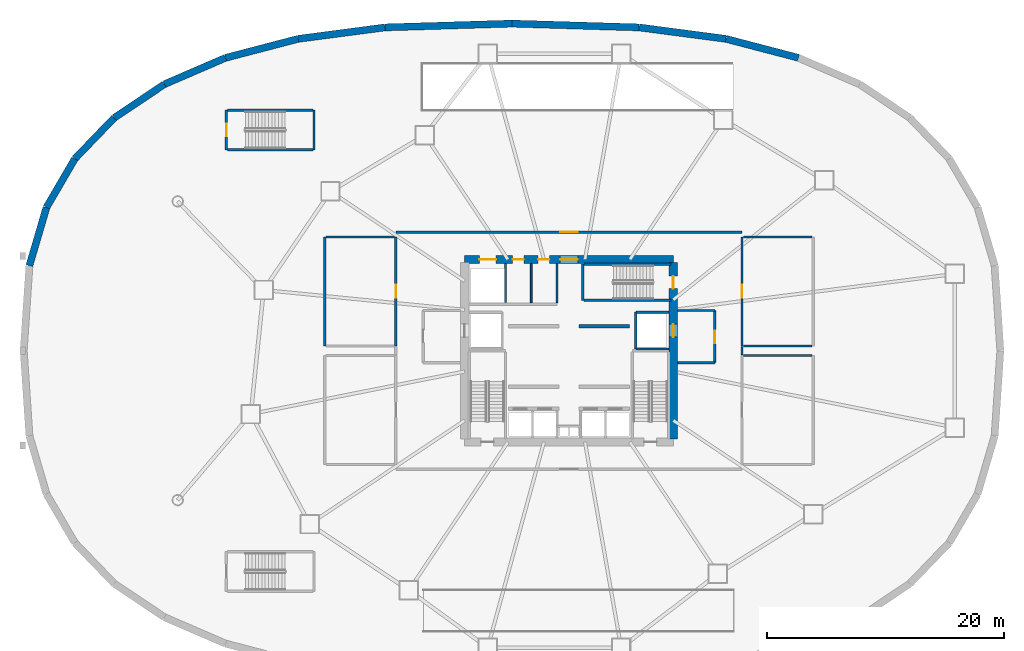
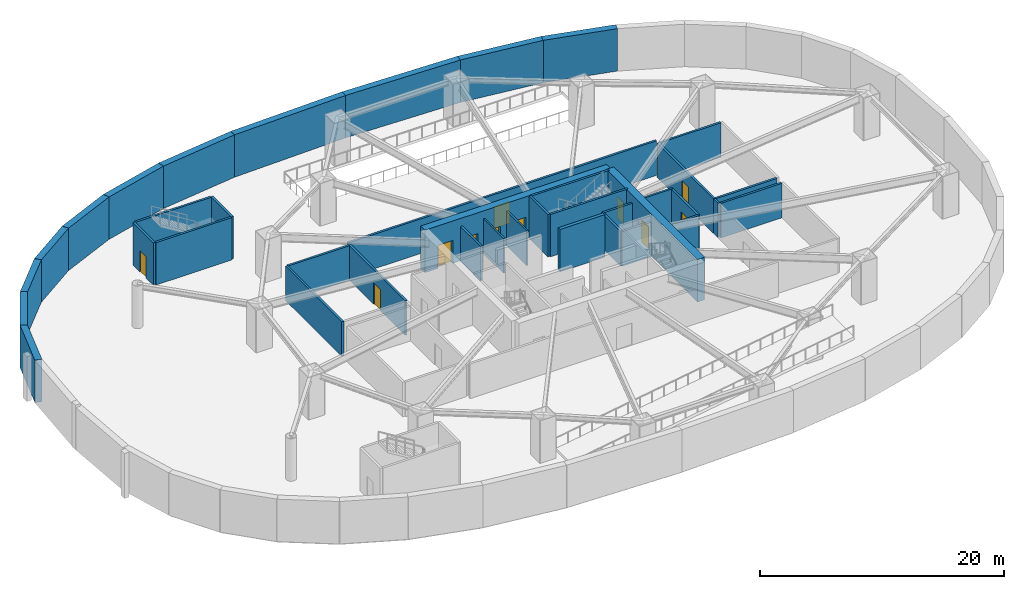
# One storey, part 4 of 10: 39 walls, 11 doors, 11 openings.
"""IFC4 building model written with IfcOpenShell, lengths in metres."""

import ifcopenshell
import ifcopenshell.guid

model = None  # the IFC model being written
_history = None  # IfcOwnerHistory: only IFC2X3 demands one
_inside = {}  # id of a spatial element -> (the spatial element, [elements in it])
_under = {}  # id of a project, library or spatial element -> (it, [spatial elements below it])
_declared = {}  # id of a project -> (the project, [libraries it declares])
_typed = {}  # id of a type object -> (the type object, [elements of that type])
_made_of = {}  # id of a material, layer set ... -> (it, [elements and type objects made of it])


def new_model(schema):
    """Start an empty IFC model of exactly this schema.

    Asked for "IFC4X3", IfcOpenShell would pick the latest addendum, in which some entities
    have other attributes; the version numbers below select the first issue.
    IFC2X3 requires an IfcOwnerHistory on every rooted entity: one is made here for all.
    """
    global model, _history
    if schema == "IFC4X3":
        model = ifcopenshell.file(schema_version=(4, 3, 0, 0))
    else:
        model = ifcopenshell.file(schema=schema)
    _inside.clear()
    _under.clear()
    _declared.clear()
    _typed.clear()
    _made_of.clear()
    _history = None
    if model.schema == "IFC2X3":
        org = make("IfcOrganization", Name="unknown")
        user = make(
            "IfcPersonAndOrganization",
            ThePerson=make("IfcPerson", FamilyName="unknown"),
            TheOrganization=org,
        )
        app = make(
            "IfcApplication",
            ApplicationDeveloper=org,
            Version="unknown",
            ApplicationFullName="unknown",
            ApplicationIdentifier="unknown",
        )
        _history = make(
            "IfcOwnerHistory",
            OwningUser=user,
            OwningApplication=app,
            ChangeAction="ADDED",
            CreationDate=0,
        )
    return model


def make(cls, **values):
    """One entity of the class cls with the attributes given. An attribute that is None is left unset."""
    return model.create_entity(
        cls, **{name: value for name, value in values.items() if value is not None}
    )


def rooted(cls, **values):
    """An entity with a GlobalId (a new one), such as an element, a storey or a relation."""
    return make(cls, GlobalId=ifcopenshell.guid.new(), OwnerHistory=_history, **values)


def si_unit(unit_type, name, prefix=None):
    """IfcSIUnit, for example si_unit("LENGTHUNIT", "METRE", prefix="MILLI")."""
    return make("IfcSIUnit", UnitType=unit_type, Prefix=prefix, Name=name)


def assignment(units):
    """IfcUnitAssignment: the units of a project."""
    return None if units is None else make("IfcUnitAssignment", Units=units)


def point(xyz):
    """IfcCartesianPoint."""
    return None if xyz is None else make("IfcCartesianPoint", Coordinates=xyz)


def direction(xyz):
    """IfcDirection."""
    return None if xyz is None else make("IfcDirection", DirectionRatios=xyz)


def frame(location, z_axis=None, x_axis=None):
    """IfcAxis2Placement3D, a coordinate frame: its origin and axes. An axis left out is left unset."""
    return make(
        "IfcAxis2Placement3D",
        Location=point(location),
        Axis=direction(z_axis),
        RefDirection=direction(x_axis),
    )


def frame_2d(location, x_axis=None):
    """IfcAxis2Placement2D, a coordinate frame in the plane: its origin and x axis."""
    return make(
        "IfcAxis2Placement2D", Location=point(location), RefDirection=direction(x_axis)
    )


def origin():
    """The frame at (0, 0, 0) with its axes left unset."""
    return frame((0.0, 0.0, 0.0))


def place(relative_to, where):
    """IfcLocalPlacement: puts the frame where relative to a parent placement (None: the world)."""
    return make(
        "IfcLocalPlacement", PlacementRelTo=relative_to, RelativePlacement=where
    )


def context(
    kind, dimensions, precision=None, world=None, true_north=None, identifier=None
):
    """IfcGeometricRepresentationContext, for example the 3D "Model" context."""
    return make(
        "IfcGeometricRepresentationContext",
        ContextIdentifier=identifier,
        ContextType=kind,
        CoordinateSpaceDimension=dimensions,
        Precision=precision,
        WorldCoordinateSystem=world,
        TrueNorth=true_north,
    )


def subcontext(parent, identifier, kind, view, scale=None):
    """IfcGeometricRepresentationSubContext, for example "Body" below "Model"."""
    return make(
        "IfcGeometricRepresentationSubContext",
        ContextIdentifier=identifier,
        ContextType=kind,
        ParentContext=parent,
        TargetScale=scale,
        TargetView=view,
    )


def project(units=None, contexts=None):
    """IfcProject with its units and contexts."""
    return rooted(
        "IfcProject",
        Name="project",
        RepresentationContexts=contexts,
        UnitsInContext=assignment(units),
    )


def spatial(cls, under=None, at=None, **own):
    """A site, building, storey or space (cls), placed at a placement, below another one or the project."""
    s = rooted(cls, ObjectPlacement=at, **own)
    if under is not None:
        _under.setdefault(under.id(), (under, []))[1].append(s)
    return s


def profile(cls, at=None, kind="AREA", **sizes):
    """A parametric profile (cls). Its sizes go by their IFC names, for example OverallWidth=200.0."""
    return make(cls, ProfileType=kind, Position=at, **sizes)


def rectangle(**sizes):
    """IfcRectangleProfileDef."""
    return profile("IfcRectangleProfileDef", **sizes)


def extrude(swept, where, along, depth):
    """IfcExtrudedAreaSolid: the profile swept, set in the frame where, extruded along a direction by depth."""
    return make(
        "IfcExtrudedAreaSolid",
        SweptArea=swept,
        Position=where,
        ExtrudedDirection=direction(along),
        Depth=depth,
    )


def shape(context_of_items, identifier, shape_type, items):
    """IfcShapeRepresentation: the items that make up one representation, for example the "Body"."""
    return make(
        "IfcShapeRepresentation",
        ContextOfItems=context_of_items,
        RepresentationIdentifier=identifier,
        RepresentationType=shape_type,
        Items=items,
    )


def source(mapping_origin, context_of_items, identifier, shape_type, items):
    """IfcRepresentationMap: a shape defined once, which mapped items show again and again."""
    return make(
        "IfcRepresentationMap",
        MappingOrigin=mapping_origin,
        MappedRepresentation=shape(context_of_items, identifier, shape_type, items),
    )


def transform(
    local_origin,
    x_axis=None,
    y_axis=None,
    z_axis=None,
    scale=None,
    scale2=None,
    scale3=None,
    uniform=True,
):
    """IfcCartesianTransformationOperator3D, or its non-uniform kind. x_axis, y_axis, z_axis: its Axis1, 2, 3."""
    if uniform:
        return make(
            "IfcCartesianTransformationOperator3D",
            Axis1=direction(x_axis),
            Axis2=direction(y_axis),
            LocalOrigin=point(local_origin),
            Scale=scale,
            Axis3=direction(z_axis),
        )
    return make(
        "IfcCartesianTransformationOperator3DnonUniform",
        Axis1=direction(x_axis),
        Axis2=direction(y_axis),
        LocalOrigin=point(local_origin),
        Scale=scale,
        Axis3=direction(z_axis),
        Scale2=scale2,
        Scale3=scale3,
    )


def mapped(mapping_source, mapping_target):
    """IfcMappedItem: shows the shape of a source again, moved by a transform."""
    return make(
        "IfcMappedItem", MappingSource=mapping_source, MappingTarget=mapping_target
    )


def material(Name=None, Category=None):
    """IfcMaterial."""
    return make("IfcMaterial", Name=Name, Category=Category)


def layer(
    of_material, thickness, ventilated=None, Name=None, Category=None, Priority=None
):
    """IfcMaterialLayer: one layer of a wall or slab, of a material (None: an air gap)."""
    return make(
        "IfcMaterialLayer",
        Material=of_material,
        LayerThickness=thickness,
        IsVentilated=ventilated,
        Name=Name,
        Category=Category,
        Priority=Priority,
    )


def layer_set(layers, Name=None):
    """IfcMaterialLayerSet."""
    return make("IfcMaterialLayerSet", MaterialLayers=layers, LayerSetName=Name)


def made_of(thing, what):
    """Note that an element or type object is made of a material, layer set ...; save() writes the relation."""
    if what is not None:
        _made_of.setdefault(what.id(), (what, []))[1].append(thing)
    return thing


def type_object(cls, material=None, **own):
    """A type object (cls), such as IfcWallType, which elements share."""
    return made_of(rooted(cls, **own), material)


def element(
    cls,
    number,
    at=None,
    inside=None,
    cuts=None,
    type_object=None,
    material=None,
    context=None,
    identifier="Body",
    shape_type=None,
    held_by="IfcProductDefinitionShape",
    body=None,
    shapes=None,
    **own,
):
    """One element of the class cls, such as IfcWall. Its Tag is "e" and its number.

    at: its placement. inside: the storey or other place that contains it. cuts: it is an
    opening in that element (IfcRelVoidsElement). A single representation is given by context,
    identifier, shape_type and body (its items); several are given by shapes. held_by: the class
    of the entity that holds the representations. save() writes the other relations.
    """
    e = rooted(cls, Tag="e%d" % number, ObjectPlacement=at, **own)
    if body is not None:
        shapes = [shape(context, identifier, shape_type, body)]
    if shapes is not None:
        e.Representation = make(held_by, Representations=shapes)
    if inside is not None:
        _inside.setdefault(inside.id(), (inside, []))[1].append(e)
    if cuts is not None:
        rooted(
            "IfcRelVoidsElement", RelatingBuildingElement=cuts, RelatedOpeningElement=e
        )
    if type_object is not None:
        _typed.setdefault(type_object.id(), (type_object, []))[1].append(e)
    return made_of(e, material)


def fill(opening, filler):
    """IfcRelFillsElement: the door or window that sits in an opening."""
    return rooted(
        "IfcRelFillsElement",
        RelatingOpeningElement=opening,
        RelatedBuildingElement=filler,
    )


def aggregate(whole, parts):
    """IfcRelAggregates: a whole, such as a stair, and the parts it consists of."""
    return rooted("IfcRelAggregates", RelatingObject=whole, RelatedObjects=parts)


def save(model, path):
    """Write the relations noted so far, then the file.

    IfcRelAggregates (storeys below a building ...), IfcRelContainedInSpatialStructure (elements
    in a storey), IfcRelDefinesByType, IfcRelAssociatesMaterial and IfcRelDeclares: one each for
    every whole, place, type object, material and project.
    """
    for whole, parts in _under.values():
        aggregate(whole, parts)
    for where, things in _inside.values():
        rooted(
            "IfcRelContainedInSpatialStructure",
            RelatedElements=things,
            RelatingStructure=where,
        )
    for kind, things in _typed.values():
        rooted("IfcRelDefinesByType", RelatedObjects=things, RelatingType=kind)
    for what, things in _made_of.values():
        rooted("IfcRelAssociatesMaterial", RelatedObjects=things, RelatingMaterial=what)
    for by, libraries in _declared.values():
        rooted("IfcRelDeclares", RelatingContext=by, RelatedDefinitions=libraries)
    model.write(path)


model = new_model("IFC4")

# Units and contexts
model_context = context("Model", 3, precision=1e-05, world=origin(), true_north=direction((0.0, 1.0)))
body_context = subcontext(model_context, "Body", "Model", "MODEL_VIEW")
ifc_project = project(units=[si_unit("LENGTHUNIT", "METRE"), si_unit("AREAUNIT", "SQUARE_METRE"), si_unit("VOLUMEUNIT", "CUBIC_METRE"), si_unit("PLANEANGLEUNIT", "RADIAN"), si_unit("MASSUNIT", "GRAM", prefix="KILO"), si_unit("THERMODYNAMICTEMPERATUREUNIT", "KELVIN")], contexts=[model_context])

# Site, building, storey
site_placement = place(None, origin())
site = spatial("IfcSite", under=ifc_project, at=site_placement, CompositionType="ELEMENT")
building_placement = place(site_placement, origin())
building = spatial("IfcBuilding", under=site, at=building_placement, Name="Kethvar Cultural Tower", CompositionType="ELEMENT")
storey_placement = place(building_placement, frame((0.0, 0.0, -4.5)))
storey = spatial("IfcBuildingStorey", under=building, at=storey_placement, Name="B01", CompositionType="ELEMENT", Elevation=-4.5)

# Walls
ifc_material_1 = material(Name="Concrete C45/55", Category="concrete")
ifc_layer_1 = layer(ifc_material_1, 0.60009765625, Name="Concrete C45/55", Category="concrete")
ifc_layer_set_1 = layer_set([ifc_layer_1], Name="Concrete C45/55 (600 mm)")
wall_type_1 = type_object("IfcWallType", Name="WL-BSMT-600", PredefinedType="SHEAR", material=ifc_layer_set_1)
wall_1_placement = place(storey_placement, frame((66.17333984375, 52.509033203125, 0.0), z_axis=(0.0, 0.0, 1.0), x_axis=(-0.967458151093, 0.253031076914, 0.0)))
element("IfcWall", 1, at=wall_1_placement, inside=storey, type_object=wall_type_1, Name="B01 Perimeter Retaining Wall 07", PredefinedType="SHEAR", context=body_context, shape_type="SweptSolid", body=[
    extrude(rectangle(XDim=6.32958984375, YDim=0.60009765625, at=frame_2d((3.164794921875, 0.0))), origin(), (0.0, 0.0, 1.0), 4.25),
])
wall_2_placement = place(storey_placement, frame((60.0498046875, 54.110595703125, 0.0), z_axis=(0.0, 0.0, 1.0), x_axis=(-0.991431364125, 0.130628673076, 0.0)))
element("IfcWall", 2, at=wall_2_placement, inside=storey, type_object=wall_type_1, Name="B01 Perimeter Retaining Wall 08", PredefinedType="SHEAR", context=body_context, shape_type="SweptSolid", body=[
    extrude(rectangle(XDim=7.3974609375, YDim=0.60009765625, at=frame_2d((3.69873046875, 0.0))), origin(), (0.0, 0.0, 1.0), 4.25),
])
for number, where, z_axis, x_axis, name in (
    (3, (52.7158203125, 55.076904296875, 0.0), (0.0, 0.0, 1.0), (-0.999546034195, 0.030128483624, 0.0), "B01 Perimeter Retaining Wall 09"),
    (4, (42.0, 55.39990234375, 0.0), (0.0, 0.0, 1.0), (-0.999546034195, -0.030128483624, 0.0), "B01 Perimeter Retaining Wall 10"),
):
    element("IfcWall", number, at=place(storey_placement, frame(where, z_axis=z_axis, x_axis=x_axis)), inside=storey, type_object=wall_type_1, Name=name, PredefinedType="SHEAR", context=body_context, shape_type="SweptSolid", body=[
        extrude(rectangle(XDim=10.720703125, YDim=0.60009765625, at=frame_2d((5.3603515625, 0.0))), origin(), (0.0, 0.0, 1.0), 4.25),
    ])
wall_3_placement = place(storey_placement, frame((31.2841796875, 55.076904296875, 0.0), z_axis=(0.0, 0.0, 1.0), x_axis=(-0.991431364125, -0.130628673076, 0.0)))
element("IfcWall", 5, at=wall_3_placement, inside=storey, type_object=wall_type_1, Name="B01 Perimeter Retaining Wall 11", PredefinedType="SHEAR", context=body_context, shape_type="SweptSolid", body=[
    extrude(rectangle(XDim=7.3974609375, YDim=0.60009765625, at=frame_2d((3.69873046875, 0.0))), origin(), (0.0, 0.0, 1.0), 4.25),
])
wall_4_placement = place(storey_placement, frame((23.9501953125, 54.110595703125, 0.0), z_axis=(0.0, 0.0, 1.0), x_axis=(-0.967458151093, -0.253031076914, 0.0)))
element("IfcWall", 6, at=wall_4_placement, inside=storey, type_object=wall_type_1, Name="B01 Perimeter Retaining Wall 12", PredefinedType="SHEAR", context=body_context, shape_type="SweptSolid", body=[
    extrude(rectangle(XDim=6.32958984375, YDim=0.60009765625, at=frame_2d((3.164794921875, 0.0))), origin(), (0.0, 0.0, 1.0), 4.25),
])
wall_5_placement = place(storey_placement, frame((17.82666015625, 52.509033203125, 0.0), z_axis=(0.0, 0.0, 1.0), x_axis=(-0.918068469745, -0.396421852147, 0.0)))
element("IfcWall", 7, at=wall_5_placement, inside=storey, type_object=wall_type_1, Name="B01 Perimeter Retaining Wall 13", PredefinedType="SHEAR", context=body_context, shape_type="SweptSolid", body=[
    extrude(rectangle(XDim=5.613037109375, YDim=0.60009765625, at=frame_2d((2.806640625, 0.0))), origin(), (0.0, 0.0, 1.0), 4.25),
])
wall_6_placement = place(storey_placement, frame((12.673583984375, 50.283935546875, 0.0), z_axis=(0.0, 0.0, 1.0), x_axis=(-0.830803406524, -0.556565988638, 0.0)))
element("IfcWall", 8, at=wall_6_placement, inside=storey, type_object=wall_type_1, Name="B01 Perimeter Retaining Wall 14", PredefinedType="SHEAR", context=body_context, shape_type="SweptSolid", body=[
    extrude(rectangle(XDim=5.099365234375, YDim=0.60009765625, at=frame_2d((2.5498046875, 0.0))), origin(), (0.0, 0.0, 1.0), 4.25),
])
wall_7_placement = place(storey_placement, frame((8.43701171875, 47.44580078125, 0.0), z_axis=(0.0, 0.0, 1.0), x_axis=(-0.693368389068, -0.720583289455, 0.0)))
element("IfcWall", 9, at=wall_7_placement, inside=storey, type_object=wall_type_1, Name="B01 Perimeter Retaining Wall 15", PredefinedType="SHEAR", context=body_context, shape_type="SweptSolid", body=[
    extrude(rectangle(XDim=4.79052734375, YDim=0.60009765625, at=frame_2d((2.395263671875, 0.0))), origin(), (0.0, 0.0, 1.0), 4.25),
])
wall_8_placement = place(storey_placement, frame((5.115478515625, 43.993896484375, 0.0), z_axis=(0.0, 0.0, 1.0), x_axis=(-0.503496923494, -0.863997018532, 0.0)))
element("IfcWall", 10, at=wall_8_placement, inside=storey, type_object=wall_type_1, Name="B01 Perimeter Retaining Wall 16", PredefinedType="SHEAR", context=body_context, shape_type="SweptSolid", body=[
    extrude(rectangle(XDim=4.748046875, YDim=0.60009765625, at=frame_2d((2.3740234375, 0.0))), origin(), (0.0, 0.0, 1.0), 4.25),
])
wall_9_placement = place(storey_placement, frame((2.724853515625, 39.8916015625, 0.0), z_axis=(0.0, 0.0, 1.0), x_axis=(-0.281735210535, -0.959492194416, 0.0)))
element("IfcWall", 11, at=wall_9_placement, inside=storey, type_object=wall_type_1, Name="B01 Perimeter Retaining Wall 17", PredefinedType="SHEAR", context=body_context, shape_type="SweptSolid", body=[
    extrude(rectangle(XDim=5.12060546875, YDim=0.60009765625, at=frame_2d((2.560302734375, 0.0))), origin(), (0.0, 0.0, 1.0), 4.25),
])

# Wall, openings, doors
ifc_material_2 = material(Name="Concrete C60/75", Category="concrete")
ifc_layer_2 = layer(ifc_material_2, 0.699951171875, Name="Concrete C60/75", Category="concrete")
ifc_layer_set_2 = layer_set([ifc_layer_2], Name="Concrete C60/75 (700 mm)")
wall_type_2 = type_object("IfcWallType", Name="WL-CORE-700", PredefinedType="SHEAR", material=ifc_layer_set_2)
wall_10_placement = place(storey_placement, frame((55.60009765625, 35.5, 0.0), z_axis=(0.0, 0.0, 1.0), x_axis=(-1.0, 0.0, 0.0)))
wall_10 = element("IfcWall", 12, at=wall_10_placement, inside=storey, type_object=wall_type_2, Name="B01 Core Shear Wall N", PredefinedType="SHEAR", context=body_context, shape_type="SweptSolid", body=[
    extrude(rectangle(XDim=17.60009765625, YDim=0.699951171875, at=frame_2d((8.800048828125, 0.0))), origin(), (0.0, 0.0, 1.0), 4.25),
])
opening_1_placement = place(wall_10_placement, frame((8.050048828125, 0.0, 0.0)))
opening_1 = element("IfcOpeningElement", 13, at=opening_1_placement, cuts=wall_10, Name="Opening D-B01-LN", PredefinedType="OPENING", context=body_context, shape_type="SweptSolid", body=[
    extrude(rectangle(XDim=1.5, YDim=2.199951171875, at=frame_2d((0.75, 1.10009765625))), frame((0.0, 0.35986328125, 0.0), z_axis=(0.0, -1.0, 0.0), x_axis=(1.0, 0.0, 0.0)), (0.0, 0.0, 1.0), 0.719970703125),
])
opening_2_placement = place(wall_10_placement, frame((14.949951171875, 0.0, 0.0)))
opening_2 = element("IfcOpeningElement", 14, at=opening_2_placement, cuts=wall_10, Name="Opening LD-G1", PredefinedType="OPENING", context=body_context, shape_type="SweptSolid", body=[
    extrude(rectangle(XDim=1.39990234375, YDim=2.300048828125, at=frame_2d((0.699951171875, 1.14990234375))), frame((0.0, 0.35986328125, 0.0), z_axis=(0.0, -1.0, 0.0), x_axis=(1.0, 0.0, 0.0)), (0.0, 0.0, 1.0), 0.719970703125),
])
opening_3_placement = place(wall_10_placement, frame((12.60009765625, 0.0, 0.0)))
opening_3 = element("IfcOpeningElement", 15, at=opening_3_placement, cuts=wall_10, Name="Opening D-B01-W1", PredefinedType="OPENING", context=body_context, shape_type="SweptSolid", body=[
    extrude(rectangle(XDim=0.949951171875, YDim=2.14990234375, at=frame_2d((0.47509765625, 1.074951171875))), frame((0.0, 0.35986328125, 0.0), z_axis=(0.0, -1.0, 0.0), x_axis=(1.0, 0.0, 0.0)), (0.0, 0.0, 1.0), 0.719970703125),
])
opening_4_placement = place(wall_10_placement, frame((10.449951171875, 0.0, 0.0)))
opening_4 = element("IfcOpeningElement", 16, at=opening_4_placement, cuts=wall_10, Name="Opening D-B01-W2", PredefinedType="OPENING", context=body_context, shape_type="SweptSolid", body=[
    extrude(rectangle(XDim=0.949951171875, YDim=2.14990234375, at=frame_2d((0.47509765625, 1.074951171875))), frame((0.0, 0.35986328125, 0.0), z_axis=(0.0, -1.0, 0.0), x_axis=(1.0, 0.0, 0.0)), (0.0, 0.0, 1.0), 0.719970703125),
])
ifc_material_3 = material(Name="Architectural Oak Timber", Category="wood")
door_type_1 = type_object("IfcDoorType", Name="DR-DBL-FD60-1500", OperationType="DOUBLE_DOOR_SINGLE_SWING", PredefinedType="DOOR", material=ifc_material_3)
shared_shape_1 = source(origin(), body_context, "Body", "SweptSolid", [
    extrude(rectangle(XDim=1.5, YDim=2.199951171875, at=frame_2d((0.75, 1.10009765625))), frame((0.0, 0.02490234375, 0.0), z_axis=(0.0, -1.0, 0.0), x_axis=(1.0, 0.0, 0.0)), (0.0, 0.0, 1.0), 0.050048828125),
])
door_1_placement = place(opening_1_placement, origin())
door_1 = element("IfcDoor", 17, at=door_1_placement, inside=storey, type_object=door_type_1, Name="B01 Lift Lobby Concourse Door", OperationType="DOUBLE_DOOR_SINGLE_SWING", OverallHeight=2.199951171875, OverallWidth=1.5, PredefinedType="DOOR", context=body_context, shape_type="MappedRepresentation", body=[
    mapped(shared_shape_1, transform((0.0, 0.0, 0.0), scale=1.0)),
])
fill(opening_1, door_1)
ifc_material_4 = material(Name="Steel S355J2", Category="steel")
door_type_2 = type_object("IfcDoorType", Name="DR-LIFT-SLIDE-1400", OperationType="NOTDEFINED", PredefinedType="DOOR", material=ifc_material_4)
shared_shape_2 = source(origin(), body_context, "Body", "SweptSolid", [
    extrude(rectangle(XDim=1.39990234375, YDim=2.300048828125, at=frame_2d((0.699951171875, 1.14990234375))), frame((0.0, 0.02490234375, 0.0), z_axis=(0.0, -1.0, 0.0), x_axis=(1.0, 0.0, 0.0)), (0.0, 0.0, 1.0), 0.050048828125),
])
door_2_placement = place(opening_2_placement, origin())
door_2 = element("IfcDoor", 18, at=door_2_placement, inside=storey, type_object=door_type_2, Name="B01 Goods Lift Landing Door", OperationType="SLIDING_TO_RIGHT", OverallHeight=2.300048828125, OverallWidth=1.39990234375, PredefinedType="DOOR", context=body_context, shape_type="MappedRepresentation", body=[
    mapped(shared_shape_2, transform((0.0, 0.0, 0.0), scale=1.0)),
])
fill(opening_2, door_2)
door_type_3 = type_object("IfcDoorType", Name="DR-FD30-950", OperationType="NOTDEFINED", PredefinedType="DOOR", material=ifc_material_3)
shared_shape_3 = source(origin(), body_context, "Body", "SweptSolid", [
    extrude(rectangle(XDim=0.949951171875, YDim=2.14990234375, at=frame_2d((0.47509765625, 1.074951171875))), frame((0.0, 0.02490234375, 0.0), z_axis=(0.0, -1.0, 0.0), x_axis=(1.0, 0.0, 0.0)), (0.0, 0.0, 1.0), 0.050048828125),
])
door_3_placement = place(opening_3_placement, origin())
door_3 = element("IfcDoor", 19, at=door_3_placement, inside=storey, type_object=door_type_3, Name="B01 Accessible Washroom Door", OperationType="SINGLE_SWING_LEFT", OverallHeight=2.14990234375, OverallWidth=0.949951171875, PredefinedType="DOOR", context=body_context, shape_type="MappedRepresentation", body=[
    mapped(shared_shape_3, transform((0.0, 0.0, 0.0), scale=1.0)),
])
fill(opening_3, door_3)
door_4_placement = place(opening_4_placement, origin())
door_4 = element("IfcDoor", 20, at=door_4_placement, inside=storey, type_object=door_type_3, Name="B01 Public Washroom Door", OperationType="SINGLE_SWING_RIGHT", OverallHeight=2.14990234375, OverallWidth=0.949951171875, PredefinedType="DOOR", context=body_context, shape_type="MappedRepresentation", body=[
    mapped(shared_shape_3, transform((0.0, 0.0, 0.0), scale=1.0)),
])
fill(opening_4, door_4)

wall_11_placement = place(storey_placement, frame((55.60009765625, 20.340087890625, 0.0), z_axis=(0.0, 0.0, 1.0), x_axis=(0.0, 1.0, 0.0)))
wall_11 = element("IfcWall", 21, at=wall_11_placement, inside=storey, type_object=wall_type_2, Name="B01 Core Shear Wall E", PredefinedType="SHEAR", context=body_context, shape_type="SweptSolid", body=[
    extrude(rectangle(XDim=14.919921875, YDim=0.699951171875, at=frame_2d((7.4599609375, 0.0))), origin(), (0.0, 0.0, 1.0), 4.25),
])
opening_5_placement = place(wall_11_placement, frame((12.7099609375, 0.0, 0.0)))
opening_5 = element("IfcOpeningElement", 22, at=opening_5_placement, cuts=wall_11, Name="Opening D-B01-S3", PredefinedType="OPENING", context=body_context, shape_type="SweptSolid", body=[
    extrude(rectangle(XDim=1.050048828125, YDim=2.14990234375, at=frame_2d((0.52490234375, 1.074951171875))), frame((0.0, 0.35986328125, 0.0), z_axis=(0.0, -1.0, 0.0), x_axis=(1.0, 0.0, 0.0)), (0.0, 0.0, 1.0), 0.719970703125),
])
opening_6_placement = place(wall_11_placement, frame((8.610107421875, 0.0, 0.0)))
opening_6 = element("IfcOpeningElement", 23, at=opening_6_placement, cuts=wall_11, Name="Opening LD-2", PredefinedType="OPENING", context=body_context, shape_type="SweptSolid", body=[
    extrude(rectangle(XDim=1.10009765625, YDim=2.199951171875, at=frame_2d((0.550048828125, 1.10009765625))), frame((0.0, 0.35986328125, 0.0), z_axis=(0.0, -1.0, 0.0), x_axis=(1.0, 0.0, 0.0)), (0.0, 0.0, 1.0), 0.719970703125),
])
door_type_4 = type_object("IfcDoorType", Name="DR-FD60-1050", OperationType="NOTDEFINED", PredefinedType="DOOR", material=ifc_material_4)
shared_shape_4 = source(origin(), body_context, "Body", "SweptSolid", [
    extrude(rectangle(XDim=1.050048828125, YDim=2.14990234375, at=frame_2d((0.52490234375, 1.074951171875))), frame((0.0, 0.02490234375, 0.0), z_axis=(0.0, -1.0, 0.0), x_axis=(1.0, 0.0, 0.0)), (0.0, 0.0, 1.0), 0.050048828125),
])
door_5_placement = place(opening_5_placement, origin())
door_5 = element("IfcDoor", 24, at=door_5_placement, inside=storey, type_object=door_type_4, Name="B01 Exit Stair 3 Door", OperationType="SINGLE_SWING_LEFT", OverallHeight=2.14990234375, OverallWidth=1.050048828125, PredefinedType="DOOR", context=body_context, shape_type="MappedRepresentation", body=[
    mapped(shared_shape_4, transform((0.0, 0.0, 0.0), scale=1.0)),
])
fill(opening_5, door_5)
door_type_5 = type_object("IfcDoorType", Name="DR-LIFT-SLIDE-1100", OperationType="NOTDEFINED", PredefinedType="DOOR", material=ifc_material_4)
shared_shape_5 = source(origin(), body_context, "Body", "SweptSolid", [
    extrude(rectangle(XDim=1.10009765625, YDim=2.199951171875, at=frame_2d((0.550048828125, 1.10009765625))), frame((0.0, 0.02490234375, 0.0), z_axis=(0.0, -1.0, 0.0), x_axis=(1.0, 0.0, 0.0)), (0.0, 0.0, 1.0), 0.050048828125),
])
door_6_placement = place(opening_6_placement, origin())
door_6 = element("IfcDoor", 25, at=door_6_placement, inside=storey, type_object=door_type_5, Name="B01 Firefighting Lift Landing Door FFL-02", OperationType="SLIDING_TO_RIGHT", OverallHeight=2.199951171875, OverallWidth=1.10009765625, PredefinedType="DOOR", context=body_context, shape_type="MappedRepresentation", body=[
    mapped(shared_shape_5, transform((0.0, 0.0, 0.0), scale=1.0)),
])
fill(opening_6, door_6)

# Walls
ifc_material_5 = material(Name="Gypsum Fireboard Partition")
ifc_layer_3 = layer(ifc_material_5, 0.14990234375, Name="Gypsum Fireboard Partition")
ifc_layer_set_3 = layer_set([ifc_layer_3], Name="Gypsum Fireboard Partition (150 mm)")
wall_type_3 = type_object("IfcWallType", Name="WL-FIRE-150", PredefinedType="PARTITIONING", material=ifc_layer_set_3)
wall_12_placement = place(storey_placement, frame((45.800048828125, 31.85009765625, 0.0), z_axis=(0.0, 0.0, 1.0), x_axis=(0.0, 1.0, 0.0)))
element("IfcWall", 26, at=wall_12_placement, inside=storey, type_object=wall_type_3, Name="B01 Sanitary Spine Wall", PredefinedType="PARTITIONING", context=body_context, shape_type="SweptSolid", body=[
    extrude(rectangle(XDim=3.289794921875, YDim=0.14990234375, at=frame_2d((1.64501953125, 0.0))), origin(), (0.0, 0.0, 1.0), 3.462890625),
])
ifc_material_6 = material(Name="Concrete C40/50", Category="concrete")
ifc_layer_4 = layer(ifc_material_6, 0.199951171875, Name="Concrete C40/50", Category="concrete")
ifc_layer_set_4 = layer_set([ifc_layer_4], Name="Concrete C40/50 (200 mm)")
wall_type_4 = type_object("IfcWallType", Name="WL-FIRE-200", PredefinedType="PARTITIONING", material=ifc_layer_set_4)
wall_13_placement = place(storey_placement, frame((52.449951171875, 27.949951171875, 0.0), z_axis=(0.0, 0.0, 1.0), x_axis=(0.0, 1.0, 0.0)))
element("IfcWall", 27, at=wall_13_placement, inside=storey, type_object=wall_type_4, Name="B01 FFL-02 Shaft Inner Wall", PredefinedType="PARTITIONING", context=body_context, shape_type="SweptSolid", body=[
    extrude(rectangle(XDim=3.10009765625, YDim=0.199951171875, at=frame_2d((1.550048828125, 0.0))), origin(), (0.0, 0.0, 1.0), 3.462890625),
])
for number, where, z_axis, x_axis, name in (
    (28, (52.449951171875, 27.949951171875, 0.0), (0.0, 0.0, 1.0), (1.0, 0.0, 0.0), "B01 FFL-02 Shaft South Wall"),
    (29, (52.449951171875, 31.050048828125, 0.0), (0.0, 0.0, 1.0), (1.0, 0.0, 0.0), "B01 FFL-02 Shaft North Wall"),
):
    element("IfcWall", number, at=place(storey_placement, frame(where, z_axis=z_axis, x_axis=x_axis)), inside=storey, type_object=wall_type_4, Name=name, PredefinedType="PARTITIONING", context=body_context, shape_type="SweptSolid", body=[
        extrude(rectangle(XDim=2.7900390625, YDim=0.199951171875, at=frame_2d((1.39501953125, 0.0))), origin(), (0.0, 0.0, 1.0), 3.462890625),
    ])

# Wall, opening, door
wall_14_placement = place(storey_placement, frame((59.10009765625, 26.800048828125, 0.0), z_axis=(0.0, 0.0, 1.0), x_axis=(0.0, 1.0, 0.0)))
wall_14 = element("IfcWall", 30, at=wall_14_placement, inside=storey, type_object=wall_type_4, Name="B01 Firefighting Lobby 2 Wall", PredefinedType="PARTITIONING", context=body_context, shape_type="SweptSolid", body=[
    extrude(rectangle(XDim=4.39990234375, YDim=0.199951171875, at=frame_2d((2.199951171875, 0.0))), origin(), (0.0, 0.0, 1.0), 3.462890625),
])
opening_7_placement = place(wall_14_placement, frame((1.64990234375, 0.0, 0.0)))
opening_7 = element("IfcOpeningElement", 31, at=opening_7_placement, cuts=wall_14, Name="Opening D-B01-F2", PredefinedType="OPENING", context=body_context, shape_type="SweptSolid", body=[
    extrude(rectangle(XDim=1.050048828125, YDim=2.14990234375, at=frame_2d((0.52490234375, 1.074951171875))), frame((0.0, 0.10986328125, 0.0), z_axis=(0.0, -1.0, 0.0), x_axis=(1.0, 0.0, 0.0)), (0.0, 0.0, 1.0), 0.219970703125),
])
door_7_placement = place(opening_7_placement, origin())
door_7 = element("IfcDoor", 32, at=door_7_placement, inside=storey, type_object=door_type_4, Name="B01 Firefighting Lobby 2 Fire Door", OperationType="SINGLE_SWING_LEFT", OverallHeight=2.14990234375, OverallWidth=1.050048828125, PredefinedType="DOOR", context=body_context, shape_type="MappedRepresentation", body=[
    mapped(shared_shape_4, transform((0.0, 0.0, 0.0), scale=1.0)),
])
fill(opening_7, door_7)

# Walls
for number, where, z_axis, x_axis, name in (
    (33, (55.9599609375, 26.800048828125, 0.0), (0.0, 0.0, 1.0), (1.0, 0.0, 0.0), "B01 FF Lobby 2 South Wall"),
    (34, (55.9599609375, 31.199951171875, 0.0), (0.0, 0.0, 1.0), (1.0, 0.0, 0.0), "B01 FF Lobby 2 North Wall"),
):
    element("IfcWall", number, at=place(storey_placement, frame(where, z_axis=z_axis, x_axis=x_axis)), inside=storey, type_object=wall_type_4, Name=name, PredefinedType="PARTITIONING", context=body_context, shape_type="SweptSolid", body=[
        extrude(rectangle(XDim=3.14013671875, YDim=0.199951171875, at=frame_2d((1.570068359375, 0.0))), origin(), (0.0, 0.0, 1.0), 3.462890625),
    ])
wall_15_placement = place(storey_placement, frame((41.449951171875, 31.85009765625, 0.0), z_axis=(0.0, 0.0, 1.0), x_axis=(0.0, 1.0, 0.0)))
element("IfcWall", 35, at=wall_15_placement, inside=storey, type_object=wall_type_4, Name="B01 NW Core Pocket Wall", PredefinedType="PARTITIONING", context=body_context, shape_type="SweptSolid", body=[
    extrude(rectangle(XDim=3.289794921875, YDim=0.199951171875, at=frame_2d((1.64501953125, 0.0))), origin(), (0.0, 0.0, 1.0), 3.462890625),
])

# Wall, opening, door
wall_16_placement = place(storey_placement, frame((32.199951171875, 28.199951171875, 0.0), z_axis=(0.0, 0.0, 1.0), x_axis=(0.0, 1.0, 0.0)))
wall_16 = element("IfcWall", 36, at=wall_16_placement, inside=storey, type_object=wall_type_4, Name="B01 Conservation Quarantine Room Front Wall", PredefinedType="PARTITIONING", context=body_context, shape_type="SweptSolid", body=[
    extrude(rectangle(XDim=9.199951171875, YDim=0.199951171875, at=frame_2d((4.60009765625, 0.0))), origin(), (0.0, 0.0, 1.0), 3.462890625),
])
opening_8_placement = place(wall_16_placement, frame((4.050048828125, 0.0, 0.0)))
opening_8 = element("IfcOpeningElement", 37, at=opening_8_placement, cuts=wall_16, Name="Opening D-B01-B2", PredefinedType="OPENING", context=body_context, shape_type="SweptSolid", body=[
    extrude(rectangle(XDim=1.10009765625, YDim=2.14990234375, at=frame_2d((0.550048828125, 1.074951171875))), frame((0.0, 0.10986328125, 0.0), z_axis=(0.0, -1.0, 0.0), x_axis=(1.0, 0.0, 0.0)), (0.0, 0.0, 1.0), 0.219970703125),
])
door_type_6 = type_object("IfcDoorType", Name="DR-FD60-1100", OperationType="NOTDEFINED", PredefinedType="DOOR", material=ifc_material_4)
shared_shape_6 = source(origin(), body_context, "Body", "SweptSolid", [
    extrude(rectangle(XDim=1.10009765625, YDim=2.14990234375, at=frame_2d((0.550048828125, 1.074951171875))), frame((0.0, 0.02490234375, 0.0), z_axis=(0.0, -1.0, 0.0), x_axis=(1.0, 0.0, 0.0)), (0.0, 0.0, 1.0), 0.050048828125),
])
door_8_placement = place(opening_8_placement, origin())
door_8 = element("IfcDoor", 38, at=door_8_placement, inside=storey, type_object=door_type_6, Name="B01 Conservation Quarantine Room Door", OperationType="SINGLE_SWING_RIGHT", OverallHeight=2.14990234375, OverallWidth=1.10009765625, PredefinedType="DOOR", context=body_context, shape_type="MappedRepresentation", body=[
    mapped(shared_shape_6, transform((0.0, 0.0, 0.0), scale=1.0)),
])
fill(opening_8, door_8)

# Walls
wall_17_placement = place(storey_placement, frame((26.199951171875, 28.199951171875, 0.0), z_axis=(0.0, 0.0, 1.0), x_axis=(0.0, 1.0, 0.0)))
element("IfcWall", 39, at=wall_17_placement, inside=storey, type_object=wall_type_4, Name="B01 Conservation Quarantine Room Back Wall", PredefinedType="PARTITIONING", context=body_context, shape_type="SweptSolid", body=[
    extrude(rectangle(XDim=9.199951171875, YDim=0.199951171875, at=frame_2d((4.60009765625, 0.0))), origin(), (0.0, 0.0, 1.0), 3.462890625),
])
for number, where, z_axis, x_axis, name in (
    (40, (26.31005859375, 37.39990234375, 0.0), (0.0, 0.0, 1.0), (1.0, 0.0, 0.0), "B01 Conservation Quarantine Room North Wall"),
    (41, (61.510009765625, 27.39990234375, 0.0), (0.0, 0.0, 1.0), (1.0, 0.0, 0.0), "B01 Domestic Water Plant Room North Wall"),
):
    element("IfcWall", number, at=place(storey_placement, frame(where, z_axis=z_axis, x_axis=x_axis)), inside=storey, type_object=wall_type_4, Name=name, PredefinedType="PARTITIONING", context=body_context, shape_type="SweptSolid", body=[
        extrude(rectangle(XDim=5.780029296875, YDim=0.199951171875, at=frame_2d((2.89013671875, 0.0))), origin(), (0.0, 0.0, 1.0), 3.462890625),
    ])

# Wall, opening, door
wall_18_placement = place(storey_placement, frame((61.39990234375, 28.199951171875, 0.0), z_axis=(0.0, 0.0, 1.0), x_axis=(0.0, 1.0, 0.0)))
wall_18 = element("IfcWall", 42, at=wall_18_placement, inside=storey, type_object=wall_type_4, Name="B01 Main LV Switchboard Room Front Wall", PredefinedType="PARTITIONING", context=body_context, shape_type="SweptSolid", body=[
    extrude(rectangle(XDim=9.199951171875, YDim=0.199951171875, at=frame_2d((4.60009765625, 0.0))), origin(), (0.0, 0.0, 1.0), 3.462890625),
])
opening_9_placement = place(wall_18_placement, frame((4.050048828125, 0.0, 0.0)))
opening_9 = element("IfcOpeningElement", 43, at=opening_9_placement, cuts=wall_18, Name="Opening D-B01-B4", PredefinedType="OPENING", context=body_context, shape_type="SweptSolid", body=[
    extrude(rectangle(XDim=1.10009765625, YDim=2.14990234375, at=frame_2d((0.550048828125, 1.074951171875))), frame((0.0, 0.10986328125, 0.0), z_axis=(0.0, -1.0, 0.0), x_axis=(1.0, 0.0, 0.0)), (0.0, 0.0, 1.0), 0.219970703125),
])
door_9_placement = place(opening_9_placement, origin())
door_9 = element("IfcDoor", 44, at=door_9_placement, inside=storey, type_object=door_type_6, Name="B01 Main LV Switchboard Room Door", OperationType="SINGLE_SWING_RIGHT", OverallHeight=2.14990234375, OverallWidth=1.10009765625, PredefinedType="DOOR", context=body_context, shape_type="MappedRepresentation", body=[
    mapped(shared_shape_6, transform((0.0, 0.0, 0.0), scale=1.0)),
])
fill(opening_9, door_9)

# Walls
for number, where, z_axis, x_axis, name in (
    (45, (61.510009765625, 28.199951171875, 0.0), (0.0, 0.0, 1.0), (1.0, 0.0, 0.0), "B01 Main LV Switchboard Room South Wall"),
    (46, (61.510009765625, 37.39990234375, 0.0), (0.0, 0.0, 1.0), (1.0, 0.0, 0.0), "B01 Main LV Switchboard Room North Wall"),
):
    element("IfcWall", number, at=place(storey_placement, frame(where, z_axis=z_axis, x_axis=x_axis)), inside=storey, type_object=wall_type_4, Name=name, PredefinedType="PARTITIONING", context=body_context, shape_type="SweptSolid", body=[
        extrude(rectangle(XDim=5.780029296875, YDim=0.199951171875, at=frame_2d((2.89013671875, 0.0))), origin(), (0.0, 0.0, 1.0), 3.462890625),
    ])
wall_19_placement = place(storey_placement, frame((61.39990234375, 27.449951171875, 0.0), z_axis=(0.0, 0.0, 1.0), x_axis=(0.0, 1.0, 0.0)))
element("IfcWall", 47, at=wall_19_placement, inside=storey, type_object=wall_type_4, Name="B01 Plant Corridor Gap Wall E", PredefinedType="PARTITIONING", context=body_context, shape_type="SweptSolid", body=[
    extrude(rectangle(XDim=0.699951171875, YDim=0.199951171875, at=frame_2d((0.35009765625, 0.0))), origin(), (0.0, 0.0, 1.0), 3.462890625),
])

# Wall, opening, door
wall_20_placement = place(storey_placement, frame((32.199951171875, 37.800048828125, 0.0), z_axis=(0.0, 0.0, 1.0), x_axis=(1.0, 0.0, 0.0)))
wall_20 = element("IfcWall", 48, at=wall_20_placement, inside=storey, type_object=wall_type_4, Name="B01 Basement Vestibule Wall N", PredefinedType="PARTITIONING", context=body_context, shape_type="SweptSolid", body=[
    extrude(rectangle(XDim=29.199951171875, YDim=0.199951171875, at=frame_2d((14.60009765625, 0.0))), origin(), (0.0, 0.0, 1.0), 3.462890625),
])
opening_10_placement = place(wall_20_placement, frame((13.85009765625, 0.0, 0.0)))
opening_10 = element("IfcOpeningElement", 49, at=opening_10_placement, cuts=wall_20, Name="Opening D-B01-CPN", PredefinedType="OPENING", context=body_context, shape_type="SweptSolid", body=[
    extrude(rectangle(XDim=1.5, YDim=2.199951171875, at=frame_2d((0.75, 1.10009765625))), frame((0.0, 0.10986328125, 0.0), z_axis=(0.0, -1.0, 0.0), x_axis=(1.0, 0.0, 0.0)), (0.0, 0.0, 1.0), 0.219970703125),
])
door_10_placement = place(opening_10_placement, origin())
door_10 = element("IfcDoor", 50, at=door_10_placement, inside=storey, type_object=door_type_1, Name="B01 Car Park Vestibule Door N", OperationType="DOUBLE_DOOR_SINGLE_SWING", OverallHeight=2.199951171875, OverallWidth=1.5, PredefinedType="DOOR", context=body_context, shape_type="MappedRepresentation", body=[
    mapped(shared_shape_1, transform((0.0, 0.0, 0.0), scale=1.0)),
])
fill(opening_10, door_10)

# Walls
ifc_material_7 = material(Name="Moisture-Resistant Sanitary Chase Wall")
ifc_layer_5 = layer(ifc_material_7, 0.14990234375, Name="Moisture-Resistant Sanitary Chase Wall")
ifc_layer_set_5 = layer_set([ifc_layer_5], Name="Moisture-Resistant Sanitary Chase Wall (150 mm)")
wall_type_5 = type_object("IfcWallType", Name="WL-PLUMB-150", PredefinedType="PLUMBINGWALL", material=ifc_layer_set_5)
wall_21_placement = place(storey_placement, frame((43.6201171875, 31.85009765625, 0.0), z_axis=(0.0, 0.0, 1.0), x_axis=(0.0, 1.0, 0.0)))
element("IfcWall", 51, at=wall_21_placement, inside=storey, type_object=wall_type_5, Name="B01 Sanitary Plumbing Wall", PredefinedType="PLUMBINGWALL", context=body_context, shape_type="SweptSolid", body=[
    extrude(rectangle(XDim=3.289794921875, YDim=0.14990234375, at=frame_2d((1.64501953125, 0.0))), origin(), (0.0, 0.0, 1.0), 3.462890625),
])
ifc_material_8 = material(Name="Concrete C50/60", Category="concrete")
ifc_layer_6 = layer(ifc_material_8, 0.300048828125, Name="Concrete C50/60", Category="concrete")
ifc_layer_set_6 = layer_set([ifc_layer_6], Name="Concrete C50/60 (300 mm)")
wall_type_6 = type_object("IfcWallType", Name="WL-SHAFT-300", PredefinedType="SHEAR", material=ifc_layer_set_6)
wall_22_placement = place(storey_placement, frame((47.64990234375, 29.85009765625, 0.0), z_axis=(0.0, 0.0, 1.0), x_axis=(1.0, 0.0, 0.0)))
element("IfcWall", 52, at=wall_22_placement, inside=storey, type_object=wall_type_6, Name="B01 Core Lift Spine Wall MID3E", PredefinedType="SHEAR", context=body_context, shape_type="SweptSolid", body=[
    extrude(rectangle(XDim=4.25, YDim=0.300048828125, at=frame_2d((2.125, 0.0))), origin(), (0.0, 0.0, 1.0), 4.25),
])
ifc_layer_7 = layer(ifc_material_8, 0.199951171875, Name="Concrete C50/60", Category="concrete")
ifc_layer_set_7 = layer_set([ifc_layer_7], Name="Concrete C50/60 (200 mm)")
wall_type_7 = type_object("IfcWallType", Name="WL-STSHAFT-200", PredefinedType="SHEAR", material=ifc_layer_set_7)
wall_23_placement = place(storey_placement, frame((47.949951171875, 32.050048828125, 0.0), z_axis=(0.0, 0.0, 1.0), x_axis=(0.0, 1.0, 0.0)))
element("IfcWall", 53, at=wall_23_placement, inside=storey, type_object=wall_type_7, Name="B01 ST-03 Stair Shaft Wall FAR", PredefinedType="SHEAR", context=body_context, shape_type="SweptSolid", body=[
    extrude(rectangle(XDim=3.06005859375, YDim=0.199951171875, at=frame_2d((1.530029296875, 0.0))), origin(), (0.0, 0.0, 1.0), 4.25),
])
for number, where, z_axis, x_axis, name in (
    (54, (48.050048828125, 35.110107421875, 0.0), (0.0, 0.0, 1.0), (1.0, 0.0, 0.0), "B01 ST-03 Stair Shaft Wall LEFT"),
    (55, (55.39990234375, 32.050048828125, 0.0), (0.0, 0.0, 1.0), (-1.0, 0.0, 0.0), "B01 ST-03 Stair Shaft Wall RIGHT"),
):
    element("IfcWall", number, at=place(storey_placement, frame(where, z_axis=z_axis, x_axis=x_axis)), inside=storey, type_object=wall_type_7, Name=name, PredefinedType="SHEAR", context=body_context, shape_type="SweptSolid", body=[
        extrude(rectangle(XDim=7.349853515625, YDim=0.199951171875, at=frame_2d((3.6748046875, 0.0))), origin(), (0.0, 0.0, 1.0), 4.25),
    ])

# Wall, opening, door
wall_24_placement = place(storey_placement, frame((17.89990234375, 44.739990234375, 0.0), z_axis=(0.0, 0.0, 1.0), x_axis=(0.0, 1.0, 0.0)))
wall_24 = element("IfcWall", 56, at=wall_24_placement, inside=storey, type_object=wall_type_7, Name="B01 ST-05 Stair Shaft Wall NEAR", PredefinedType="SHEAR", context=body_context, shape_type="SweptSolid", body=[
    extrude(rectangle(XDim=3.360107421875, YDim=0.199951171875, at=frame_2d((1.68017578125, 0.0))), origin(), (0.0, 0.0, 1.0), 4.25),
])
opening_11_placement = place(wall_24_placement, frame((1.155029296875, 0.0, 0.0)))
opening_11 = element("IfcOpeningElement", 57, at=opening_11_placement, cuts=wall_24, Name="Opening D-B01-ST5", PredefinedType="OPENING", context=body_context, shape_type="SweptSolid", body=[
    extrude(rectangle(XDim=1.050048828125, YDim=2.14990234375, at=frame_2d((0.52490234375, 1.074951171875))), frame((0.0, 0.10986328125, 0.0), z_axis=(0.0, -1.0, 0.0), x_axis=(1.0, 0.0, 0.0)), (0.0, 0.0, 1.0), 0.219970703125),
])
door_11_placement = place(opening_11_placement, origin())
door_11 = element("IfcDoor", 58, at=door_11_placement, inside=storey, type_object=door_type_4, Name="B01 ST-05 Stair Landing Fire Door", OperationType="SINGLE_SWING_LEFT", OverallHeight=2.14990234375, OverallWidth=1.050048828125, PredefinedType="DOOR", context=body_context, shape_type="MappedRepresentation", body=[
    mapped(shared_shape_4, transform((0.0, 0.0, 0.0), scale=1.0)),
])
fill(opening_11, door_11)

# Walls
wall_25_placement = place(storey_placement, frame((25.300048828125, 48.10009765625, 0.0), z_axis=(0.0, 0.0, 1.0), x_axis=(0.0, -1.0, 0.0)))
element("IfcWall", 59, at=wall_25_placement, inside=storey, type_object=wall_type_7, Name="B01 ST-05 Stair Shaft Wall FAR", PredefinedType="SHEAR", context=body_context, shape_type="SweptSolid", body=[
    extrude(rectangle(XDim=3.360107421875, YDim=0.199951171875, at=frame_2d((1.68017578125, 0.0))), origin(), (0.0, 0.0, 1.0), 4.25),
])
for number, where, z_axis, x_axis, name in (
    (60, (25.199951171875, 44.739990234375, 0.0), (0.0, 0.0, 1.0), (-1.0, 0.0, 0.0), "B01 ST-05 Stair Shaft Wall LEFT"),
    (61, (18.0, 48.10009765625, 0.0), (0.0, 0.0, 1.0), (1.0, 0.0, 0.0), "B01 ST-05 Stair Shaft Wall RIGHT"),
):
    element("IfcWall", number, at=place(storey_placement, frame(where, z_axis=z_axis, x_axis=x_axis)), inside=storey, type_object=wall_type_7, Name=name, PredefinedType="SHEAR", context=body_context, shape_type="SweptSolid", body=[
        extrude(rectangle(XDim=7.199951171875, YDim=0.199951171875, at=frame_2d((3.60009765625, 0.0))), origin(), (0.0, 0.0, 1.0), 4.25),
    ])

save(model, "model.ifc")
